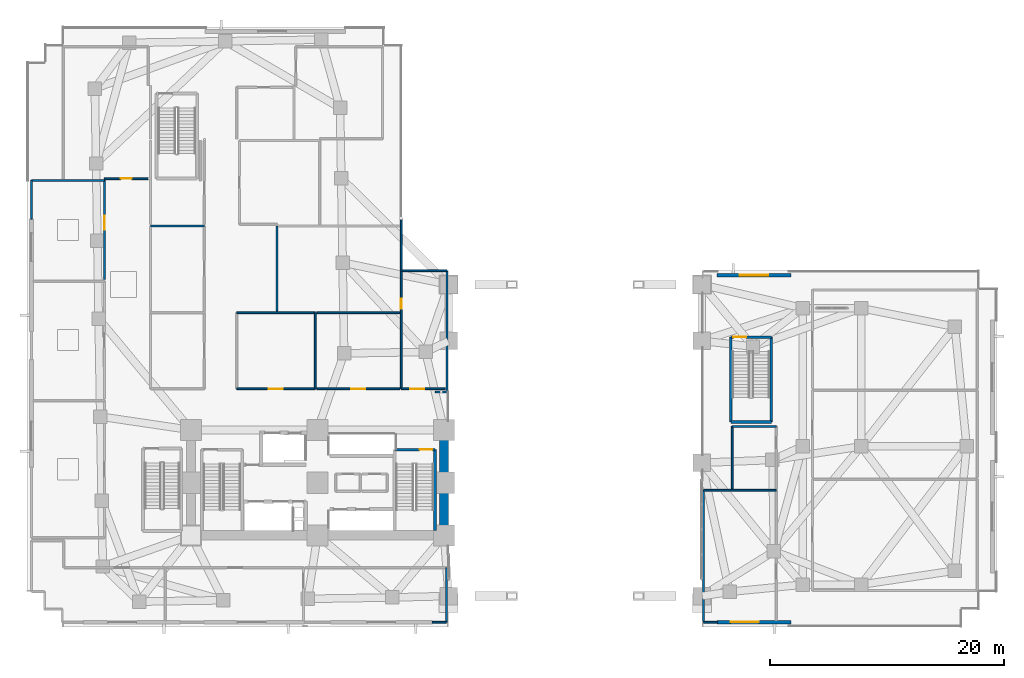
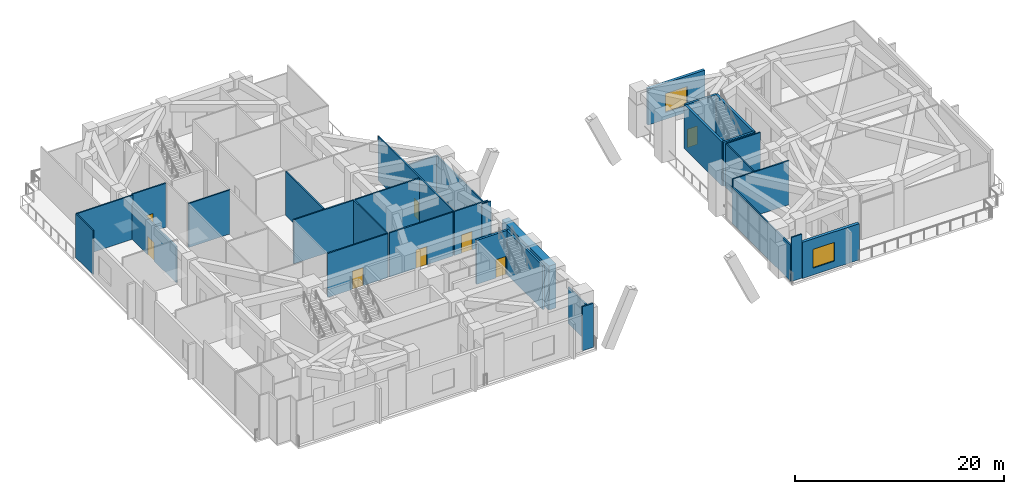
# One storey, part 9 of 18: 32 walls, 8 doors, 2 windows, 10 openings.
"""IFC4 building model written with IfcOpenShell, lengths in metres."""

from ifc_helpers import new_model, si_unit, direction, frame, frame_2d, origin, place, context, subcontext, project, spatial, rectangle, extrude, material, layer, layer_set, type_object, element, fill, save


model = new_model("IFC4")

# Units and contexts
model_context = context("Model", 3, precision=1e-05, world=origin(), true_north=direction((0.0, 1.0)))
body_context = subcontext(model_context, "Body", "Model", "MODEL_VIEW")
ifc_project = project(units=[si_unit("LENGTHUNIT", "METRE"), si_unit("AREAUNIT", "SQUARE_METRE"), si_unit("VOLUMEUNIT", "CUBIC_METRE"), si_unit("PLANEANGLEUNIT", "RADIAN"), si_unit("MASSUNIT", "GRAM", prefix="KILO")], contexts=[model_context])

# Site, building, storey
site_placement = place(None, origin())
site = spatial("IfcSite", under=ifc_project, at=site_placement, CompositionType="ELEMENT")
building_placement = place(site_placement, origin())
building = spatial("IfcBuilding", under=site, at=building_placement, Name="Gaonmaruhae Medical Tower", CompositionType="ELEMENT")
storey_placement = place(building_placement, frame((0.0, 0.0, 16.199951171875)))
storey = spatial("IfcBuildingStorey", under=building, at=storey_placement, Name="L03", CompositionType="ELEMENT", Elevation=16.199951171875)

# Wall
ifc_material_1 = material(Name="Concrete C60/75", Category="concrete")
ifc_layer_1 = layer(ifc_material_1, 0.800048828125)
ifc_layer_set_1 = layer_set([ifc_layer_1], Name="Concrete C60/75")
wall_type_1 = type_object("IfcWallType", Name="CW-800 Lower Core Shear Wall", PredefinedType="SHEAR", material=ifc_layer_set_1)
wall_1_placement = place(storey_placement, frame((35.60009765625, 7.800048828125, 0.0), z_axis=(0.0, 0.0, 1.0), x_axis=(0.0, 1.0, 0.0)))
element("IfcWall", 1, at=wall_1_placement, inside=storey, type_object=wall_type_1, Name="L03 Core Shear Wall CSW-E1", PredefinedType="SHEAR", context=body_context, shape_type="SweptSolid", body=[
    extrude(rectangle(XDim=9.0, YDim=0.800048828125, at=frame_2d((4.5, 0.0))), origin(), (0.0, 0.0, 1.0), 5.150146484375),
])

# Wall, opening, window
ifc_material_2 = material(Name="Precast concrete C45/55", Category="concrete")
ifc_layer_2 = layer(ifc_material_2, 0.320068359375)
ifc_layer_set_2 = layer_set([ifc_layer_2], Name="Precast concrete C45/55")
wall_type_2 = type_object("IfcWallType", Name="EW-320 Lower Precast Masonry-Frame Facade Wall", PredefinedType="SOLIDWALL", material=ifc_layer_set_2)
wall_2_placement = place(storey_placement, frame((65.199951171875, 0.39990234375, 0.0), z_axis=(0.0, 0.0, 1.0), x_axis=(-1.0, 0.0, 0.0)))
wall_2 = element("IfcWall", 2, at=wall_2_placement, inside=storey, type_object=wall_type_2, Name="L03 Precast Facade Wall PB-S4", PredefinedType="SOLIDWALL", context=body_context, shape_type="SweptSolid", body=[
    extrude(rectangle(XDim=6.300048828125, YDim=0.320068359375, at=frame_2d((3.14990234375, 0.0))), origin(), (0.0, 0.0, 1.0), 4.22998046875),
])
opening_1_placement = place(wall_2_placement, frame((2.739990234375, 0.0, 0.800048828125)))
opening_1 = element("IfcOpeningElement", 3, at=opening_1_placement, cuts=wall_2, Name="Opening WN-06", PredefinedType="OPENING", context=body_context, shape_type="SweptSolid", body=[
    extrude(rectangle(XDim=2.39990234375, YDim=2.199951171875, at=frame_2d((1.199951171875, 1.10009765625))), frame((0.0, 0.169921875, 0.0), z_axis=(0.0, -1.0, 0.0), x_axis=(1.0, 0.0, 0.0)), (0.0, 0.0, 1.0), 0.340087890625),
])
ifc_material_3 = material(Name="Anodised aluminium and Low-E double glazing", Category="aluminium")
window_type = type_object("IfcWindowType", Name="WN-06 Podium Diagnostic Punched Window 2400x2200", PartitioningType="SINGLE_PANEL", PredefinedType="WINDOW", material=ifc_material_3)
window_1_placement = place(opening_1_placement, origin())
window_1 = element("IfcWindow", 4, at=window_1_placement, inside=storey, type_object=window_type, Name="L03 Podium Punched Window PB-S4", OverallHeight=2.199951171875, OverallWidth=2.39990234375, PartitioningType="SINGLE_PANEL", PredefinedType="WINDOW", context=body_context, shape_type="SweptSolid", body=[
    extrude(rectangle(XDim=2.39990234375, YDim=2.199951171875, at=frame_2d((1.199951171875, 1.10009765625))), frame((0.0, 0.030029296875, 0.0), z_axis=(0.0, -1.0, 0.0), x_axis=(1.0, 0.0, 0.0)), (0.0, 0.0, 1.0), 0.06005859375),
])
fill(opening_1, window_1)

wall_3_placement = place(storey_placement, frame((58.89990234375, 30.0, 0.0), z_axis=(0.0, 0.0, 1.0), x_axis=(1.0, 0.0, 0.0)))
wall_3 = element("IfcWall", 5, at=wall_3_placement, inside=storey, type_object=wall_type_2, Name="L03 Precast Facade Wall PB-N1", PredefinedType="SOLIDWALL", context=body_context, shape_type="SweptSolid", body=[
    extrude(rectangle(XDim=6.300048828125, YDim=0.320068359375, at=frame_2d((3.14990234375, 0.0))), origin(), (0.0, 0.0, 1.0), 4.22998046875),
])
opening_2_placement = place(wall_3_placement, frame((1.949951171875, 0.0, 0.800048828125)))
opening_2 = element("IfcOpeningElement", 6, at=opening_2_placement, cuts=wall_3, Name="Opening WN-06", PredefinedType="OPENING", context=body_context, shape_type="SweptSolid", body=[
    extrude(rectangle(XDim=2.39990234375, YDim=2.199951171875, at=frame_2d((1.199951171875, 1.10009765625))), frame((0.0, 0.169921875, 0.0), z_axis=(0.0, -1.0, 0.0), x_axis=(1.0, 0.0, 0.0)), (0.0, 0.0, 1.0), 0.340087890625),
])
window_2_placement = place(opening_2_placement, origin())
window_2 = element("IfcWindow", 7, at=window_2_placement, inside=storey, type_object=window_type, Name="L03 Podium Punched Window PB-N1", OverallHeight=2.199951171875, OverallWidth=2.39990234375, PartitioningType="SINGLE_PANEL", PredefinedType="WINDOW", context=body_context, shape_type="SweptSolid", body=[
    extrude(rectangle(XDim=2.39990234375, YDim=2.199951171875, at=frame_2d((1.199951171875, 1.10009765625))), frame((0.0, 0.030029296875, 0.0), z_axis=(0.0, -1.0, 0.0), x_axis=(1.0, 0.0, 0.0)), (0.0, 0.0, 1.0), 0.06005859375),
])
fill(opening_2, window_2)

# Wall
ifc_material_4 = material(Name="Gypsum board partition", Category="gypsum")
ifc_layer_3 = layer(ifc_material_4, 0.14990234375)
ifc_layer_set_3 = layer_set([ifc_layer_3], Name="Gypsum board partition")
wall_type_3 = type_object("IfcWallType", Name="PW-150 Rated Clinical Corridor Partition", PredefinedType="PARTITIONING", material=ifc_layer_set_3)
wall_4_placement = place(storey_placement, frame((0.39990234375, 38.10009765625, 0.0), z_axis=(0.0, 0.0, 1.0), x_axis=(1.0, 0.0, 0.0)))
element("IfcWall", 8, at=wall_4_placement, inside=storey, type_object=wall_type_3, Name="L03 Interior Partition L03-WP3-15", PredefinedType="PARTITIONING", context=body_context, shape_type="SweptSolid", body=[
    extrude(rectangle(XDim=6.22021484375, YDim=0.14990234375, at=frame_2d((3.110107421875, 0.0))), origin(), (0.0, 0.0, 1.0), 5.150146484375),
])

# Wall, opening, door
wall_5_placement = place(storey_placement, frame((6.6201171875, 38.10009765625, 0.0), z_axis=(0.0, 0.0, 1.0), x_axis=(0.0, -1.0, 0.0)))
wall_5 = element("IfcWall", 9, at=wall_5_placement, inside=storey, type_object=wall_type_3, Name="L03 Interior Partition L03-WP3-16", PredefinedType="PARTITIONING", context=body_context, shape_type="SweptSolid", body=[
    extrude(rectangle(XDim=8.4501953125, YDim=0.14990234375, at=frame_2d((4.22509765625, 0.0))), origin(), (0.0, 0.0, 1.0), 4.235107421875),
])
opening_3_placement = place(wall_5_placement, frame((3.02294921875, 0.0, 0.0)))
opening_3 = element("IfcOpeningElement", 10, at=opening_3_placement, cuts=wall_5, Name="Opening CD-02", PredefinedType="OPENING", context=body_context, shape_type="SweptSolid", body=[
    extrude(rectangle(XDim=1.199951171875, YDim=2.14990234375, at=frame_2d((0.60009765625, 1.074951171875))), frame((0.0, 0.0849609375, 0.0), z_axis=(0.0, -1.0, 0.0), x_axis=(1.0, 0.0, 0.0)), (0.0, 0.0, 1.0), 0.169921875),
])
ifc_material_5 = material(Name="Antimicrobial laminate timber fire door", Category="wood")
door_type_1 = type_object("IfcDoorType", Name="CD-02 Clinical Treatment & Procedure Door 1200x2150", OperationType="NOTDEFINED", PredefinedType="DOOR", material=ifc_material_5)
door_1_placement = place(opening_3_placement, origin())
door_1 = element("IfcDoor", 11, at=door_1_placement, inside=storey, type_object=door_type_1, Name="L03 L03 Rehabilitation Physiotherapy Suite Door", OperationType="SINGLE_SWING_LEFT", OverallHeight=2.14990234375, OverallWidth=1.199951171875, PredefinedType="DOOR", context=body_context, shape_type="SweptSolid", body=[
    extrude(rectangle(XDim=1.199951171875, YDim=2.14990234375, at=frame_2d((0.60009765625, 1.074951171875))), frame((0.0, 0.02490234375, 0.0), z_axis=(0.0, -1.0, 0.0), x_axis=(1.0, 0.0, 0.0)), (0.0, 0.0, 1.0), 0.050048828125),
])
fill(opening_3, door_1)

# Walls
wall_6_placement = place(storey_placement, frame((0.39990234375, 34.800048828125, 0.0), z_axis=(0.0, 0.0, 1.0), x_axis=(0.0, 1.0, 0.0)))
element("IfcWall", 12, at=wall_6_placement, inside=storey, type_object=wall_type_3, Name="L03 Interior Partition L03-WP3-17", PredefinedType="PARTITIONING", context=body_context, shape_type="SweptSolid", body=[
    extrude(rectangle(XDim=3.300048828125, YDim=0.14990234375, at=frame_2d((1.64990234375, 0.0))), origin(), (0.0, 0.0, 1.0), 5.150146484375),
])
wall_7_placement = place(storey_placement, frame((35.85009765625, 30.39990234375, 0.0), z_axis=(0.0, 0.0, 1.0), x_axis=(0.0, -1.0, 0.0)))
element("IfcWall", 13, at=wall_7_placement, inside=storey, type_object=wall_type_3, Name="L03 Interior Partition L03-WP4-18", PredefinedType="PARTITIONING", context=body_context, shape_type="SweptSolid", body=[
    extrude(rectangle(XDim=10.349853515625, YDim=0.14990234375, at=frame_2d((5.1748046875, 0.0))), origin(), (0.0, 0.0, 1.0), 4.235107421875),
])
wall_8_placement = place(storey_placement, frame((35.85009765625, 20.050048828125, 0.0), z_axis=(0.0, 0.0, 1.0), x_axis=(-1.0, 0.0, 0.0)))
element("IfcWall", 14, at=wall_8_placement, inside=storey, type_object=wall_type_3, Name="L03 Interior Partition L03-WP4-19", PredefinedType="PARTITIONING", context=body_context, shape_type="SweptSolid", body=[
    extrude(rectangle(XDim=0.989990234375, YDim=0.14990234375, at=frame_2d((0.4951171875, 0.0))), origin(), (0.0, 0.0, 1.0), 5.150146484375),
])

# Wall, opening, door
wall_9_placement = place(storey_placement, frame((35.68994140625, 20.31005859375, 0.0), z_axis=(0.0, 0.0, 1.0), x_axis=(-1.0, 0.0, 0.0)))
wall_9 = element("IfcWall", 15, at=wall_9_placement, inside=storey, type_object=wall_type_3, Name="L03 Interior Partition L03-WP4-20", PredefinedType="PARTITIONING", context=body_context, shape_type="SweptSolid", body=[
    extrude(rectangle(XDim=3.739990234375, YDim=0.14990234375, at=frame_2d((1.8701171875, 0.0))), origin(), (0.0, 0.0, 1.0), 5.150146484375),
])
opening_4_placement = place(wall_9_placement, frame((1.7919921875, 0.0, 0.0)))
opening_4 = element("IfcOpeningElement", 16, at=opening_4_placement, cuts=wall_9, Name="Opening CD-02", PredefinedType="OPENING", context=body_context, shape_type="SweptSolid", body=[
    extrude(rectangle(XDim=1.199951171875, YDim=2.14990234375, at=frame_2d((0.60009765625, 1.074951171875))), frame((0.0, 0.0849609375, 0.0), z_axis=(0.0, -1.0, 0.0), x_axis=(1.0, 0.0, 0.0)), (0.0, 0.0, 1.0), 0.169921875),
])
door_2_placement = place(opening_4_placement, origin())
door_2 = element("IfcDoor", 17, at=door_2_placement, inside=storey, type_object=door_type_1, Name="L03 L03 Outpatient Ultrasound Room Door", OperationType="SINGLE_SWING_RIGHT", OverallHeight=2.14990234375, OverallWidth=1.199951171875, PredefinedType="DOOR", context=body_context, shape_type="SweptSolid", body=[
    extrude(rectangle(XDim=1.199951171875, YDim=2.14990234375, at=frame_2d((0.60009765625, 1.074951171875))), frame((0.0, 0.02490234375, 0.0), z_axis=(0.0, -1.0, 0.0), x_axis=(1.0, 0.0, 0.0)), (0.0, 0.0, 1.0), 0.050048828125),
])
fill(opening_4, door_2)

wall_10_placement = place(storey_placement, frame((31.949951171875, 20.31005859375, 0.0), z_axis=(0.0, 0.0, 1.0), x_axis=(0.0, 1.0, 0.0)))
wall_10 = element("IfcWall", 18, at=wall_10_placement, inside=storey, type_object=wall_type_3, Name="L03 Interior Partition L03-WP4-21", PredefinedType="PARTITIONING", context=body_context, shape_type="SweptSolid", body=[
    extrude(rectangle(XDim=14.489990234375, YDim=0.14990234375, at=frame_2d((7.2451171875, 0.0))), origin(), (0.0, 0.0, 1.0), 5.150146484375),
])
opening_5_placement = place(wall_10_placement, frame((6.81494140625, 0.0, 0.0)))
opening_5 = element("IfcOpeningElement", 19, at=opening_5_placement, cuts=wall_10, Name="Opening AD-01", PredefinedType="OPENING", context=body_context, shape_type="SweptSolid", body=[
    extrude(rectangle(XDim=0.860107421875, YDim=2.06005859375, at=frame_2d((0.43017578125, 1.030029296875))), frame((0.0, 0.0849609375, 0.0), z_axis=(0.0, -1.0, 0.0), x_axis=(1.0, 0.0, 0.0)), (0.0, 0.0, 1.0), 0.169921875),
])
ifc_material_6 = material(Name="Powder-coated steel access door", Category="steel")
door_type_2 = type_object("IfcDoorType", Name="AD-01 Riser & Closet Access Fire Door 860x2060", OperationType="NOTDEFINED", PredefinedType="DOOR", material=ifc_material_6)
door_3_placement = place(opening_5_placement, origin())
door_3 = element("IfcDoor", 20, at=door_3_placement, inside=storey, type_object=door_type_2, Name="L03 Sterile Instrument Preparation Room Sliding Door", OperationType="SLIDING_TO_LEFT", OverallHeight=2.06005859375, OverallWidth=0.860107421875, PredefinedType="DOOR", context=body_context, shape_type="SweptSolid", body=[
    extrude(rectangle(XDim=0.860107421875, YDim=2.06005859375, at=frame_2d((0.43017578125, 1.030029296875))), frame((0.0, 0.02490234375, 0.0), z_axis=(0.0, -1.0, 0.0), x_axis=(1.0, 0.0, 0.0)), (0.0, 0.0, 1.0), 0.050048828125),
])
fill(opening_5, door_3)

# Walls
wall_11_placement = place(storey_placement, frame((32.0, 30.39990234375, 0.0), z_axis=(0.0, 0.0, 1.0), x_axis=(1.0, 0.0, 0.0)))
element("IfcWall", 21, at=wall_11_placement, inside=storey, type_object=wall_type_3, Name="L03 Interior Partition L03-WP4-22", PredefinedType="PARTITIONING", context=body_context, shape_type="SweptSolid", body=[
    extrude(rectangle(XDim=3.85009765625, YDim=0.14990234375, at=frame_2d((1.925048828125, 0.0))), origin(), (0.0, 0.0, 1.0), 4.235107421875),
])
wall_12_placement = place(storey_placement, frame((57.75, 11.64990234375, 0.0), z_axis=(0.0, 0.0, 1.0), x_axis=(1.0, 0.0, 0.0)))
element("IfcWall", 22, at=wall_12_placement, inside=storey, type_object=wall_type_3, Name="L03 Interior Partition L03-EA4-33", PredefinedType="PARTITIONING", context=body_context, shape_type="SweptSolid", body=[
    extrude(rectangle(XDim=6.199951171875, YDim=0.14990234375, at=frame_2d((3.10009765625, 0.0))), origin(), (0.0, 0.0, 1.0), 5.150146484375),
])
wall_13_placement = place(storey_placement, frame((58.89990234375, 0.39990234375, 0.0), z_axis=(0.0, 0.0, 1.0), x_axis=(-1.0, 0.0, 0.0)))
element("IfcWall", 23, at=wall_13_placement, inside=storey, type_object=wall_type_3, Name="L03 Interior Partition L03-EA4-35", PredefinedType="PARTITIONING", context=body_context, shape_type="SweptSolid", body=[
    extrude(rectangle(XDim=1.14990234375, YDim=0.14990234375, at=frame_2d((0.574951171875, 0.0))), origin(), (0.0, 0.0, 1.0), 5.150146484375),
])
wall_14_placement = place(storey_placement, frame((57.75, 0.39990234375, 0.0), z_axis=(0.0, 0.0, 1.0), x_axis=(0.0, 1.0, 0.0)))
element("IfcWall", 24, at=wall_14_placement, inside=storey, type_object=wall_type_3, Name="L03 Interior Partition L03-EA4-36", PredefinedType="PARTITIONING", context=body_context, shape_type="SweptSolid", body=[
    extrude(rectangle(XDim=11.25, YDim=0.14990234375, at=frame_2d((5.625, 0.0))), origin(), (0.0, 0.0, 1.0), 4.235107421875),
])
wall_15_placement = place(storey_placement, frame((60.199951171875, 17.10009765625, 0.0), z_axis=(0.0, 0.0, 1.0), x_axis=(1.0, 0.0, 0.0)))
element("IfcWall", 25, at=wall_15_placement, inside=storey, type_object=wall_type_3, Name="L03 Interior Partition L03-EAW-37", PredefinedType="PARTITIONING", context=body_context, shape_type="SweptSolid", body=[
    extrude(rectangle(XDim=3.75, YDim=0.14990234375, at=frame_2d((1.875, 0.0))), origin(), (0.0, 0.0, 1.0), 5.150146484375),
])
wall_16_placement = place(storey_placement, frame((60.199951171875, 11.800048828125, 0.0), z_axis=(0.0, 0.0, 1.0), x_axis=(0.0, 1.0, 0.0)))
element("IfcWall", 26, at=wall_16_placement, inside=storey, type_object=wall_type_3, Name="L03 Interior Partition L03-EAW-39", PredefinedType="PARTITIONING", context=body_context, shape_type="SweptSolid", body=[
    extrude(rectangle(XDim=5.300048828125, YDim=0.14990234375, at=frame_2d((2.64990234375, 0.0))), origin(), (0.0, 0.0, 1.0), 5.150146484375),
])
wall_17_placement = place(storey_placement, frame((35.800048828125, 0.39990234375, 0.0), z_axis=(0.0, 0.0, 1.0), x_axis=(-1.0, 0.0, 0.0)))
element("IfcWall", 27, at=wall_17_placement, inside=storey, type_object=wall_type_3, Name="L03 Interior Partition L03-S3-53", PredefinedType="PARTITIONING", context=body_context, shape_type="SweptSolid", body=[
    extrude(rectangle(XDim=1.199951171875, YDim=0.14990234375, at=frame_2d((0.60009765625, 0.0))), origin(), (0.0, 0.0, 1.0), 5.150146484375),
])
wall_18_placement = place(storey_placement, frame((35.800048828125, 5.0400390625, 0.0), z_axis=(0.0, 0.0, 1.0), x_axis=(0.0, -1.0, 0.0)))
element("IfcWall", 28, at=wall_18_placement, inside=storey, type_object=wall_type_3, Name="L03 Interior Partition L03-S3-56", PredefinedType="PARTITIONING", context=body_context, shape_type="SweptSolid", body=[
    extrude(rectangle(XDim=4.64013671875, YDim=0.14990234375, at=frame_2d((2.320068359375, 0.0))), origin(), (0.0, 0.0, 1.0), 4.235107421875),
])
wall_19_placement = place(storey_placement, frame((17.909912109375, 26.800048828125, 0.0), z_axis=(0.0, 0.0, 1.0), x_axis=(1.0, 0.0, 0.0)))
element("IfcWall", 29, at=wall_19_placement, inside=storey, type_object=wall_type_3, Name="L03 Interior Partition L03-S5-61", PredefinedType="PARTITIONING", context=body_context, shape_type="SweptSolid", body=[
    extrude(rectangle(XDim=6.690185546875, YDim=0.14990234375, at=frame_2d((3.34521484375, 0.0))), origin(), (0.0, 0.0, 1.0), 5.150146484375),
])
wall_20_placement = place(storey_placement, frame((24.60009765625, 26.800048828125, 0.0), z_axis=(0.0, 0.0, 1.0), x_axis=(0.0, -1.0, 0.0)))
element("IfcWall", 30, at=wall_20_placement, inside=storey, type_object=wall_type_3, Name="L03 Interior Partition L03-S5-62", PredefinedType="PARTITIONING", context=body_context, shape_type="SweptSolid", body=[
    extrude(rectangle(XDim=6.489990234375, YDim=0.14990234375, at=frame_2d((3.2451171875, 0.0))), origin(), (0.0, 0.0, 1.0), 5.150146484375),
])

# Wall, opening, door
wall_21_placement = place(storey_placement, frame((24.60009765625, 20.31005859375, 0.0), z_axis=(0.0, 0.0, 1.0), x_axis=(-1.0, 0.0, 0.0)))
wall_21 = element("IfcWall", 31, at=wall_21_placement, inside=storey, type_object=wall_type_3, Name="L03 Interior Partition L03-S5-63", PredefinedType="PARTITIONING", context=body_context, shape_type="SweptSolid", body=[
    extrude(rectangle(XDim=6.690185546875, YDim=0.14990234375, at=frame_2d((3.34521484375, 0.0))), origin(), (0.0, 0.0, 1.0), 5.150146484375),
])
opening_6_placement = place(wall_21_placement, frame((2.7451171875, 0.0, 0.0)))
opening_6 = element("IfcOpeningElement", 32, at=opening_6_placement, cuts=wall_21, Name="Opening CD-02", PredefinedType="OPENING", context=body_context, shape_type="SweptSolid", body=[
    extrude(rectangle(XDim=1.199951171875, YDim=2.14990234375, at=frame_2d((0.60009765625, 1.074951171875))), frame((0.0, 0.0849609375, 0.0), z_axis=(0.0, -1.0, 0.0), x_axis=(1.0, 0.0, 0.0)), (0.0, 0.0, 1.0), 0.169921875),
])
door_4_placement = place(opening_6_placement, origin())
door_4 = element("IfcDoor", 33, at=door_4_placement, inside=storey, type_object=door_type_1, Name="L03 Cardiothoracic Intensive Care Ward Door", OperationType="SINGLE_SWING_RIGHT", OverallHeight=2.14990234375, OverallWidth=1.199951171875, PredefinedType="DOOR", context=body_context, shape_type="SweptSolid", body=[
    extrude(rectangle(XDim=1.199951171875, YDim=2.14990234375, at=frame_2d((0.60009765625, 1.074951171875))), frame((0.0, 0.02490234375, 0.0), z_axis=(0.0, -1.0, 0.0), x_axis=(1.0, 0.0, 0.0)), (0.0, 0.0, 1.0), 0.050048828125),
])
fill(opening_6, door_4)

# Wall
wall_22_placement = place(storey_placement, frame((24.75, 26.800048828125, 0.0), z_axis=(0.0, 0.0, 1.0), x_axis=(1.0, 0.0, 0.0)))
element("IfcWall", 34, at=wall_22_placement, inside=storey, type_object=wall_type_3, Name="L03 Interior Partition L03-S6-65", PredefinedType="PARTITIONING", context=body_context, shape_type="SweptSolid", body=[
    extrude(rectangle(XDim=7.050048828125, YDim=0.14990234375, at=frame_2d((3.52490234375, 0.0))), origin(), (0.0, 0.0, 1.0), 5.150146484375),
])

# Wall, opening, door
wall_23_placement = place(storey_placement, frame((31.800048828125, 20.31005859375, 0.0), z_axis=(0.0, 0.0, 1.0), x_axis=(-1.0, 0.0, 0.0)))
wall_23 = element("IfcWall", 35, at=wall_23_placement, inside=storey, type_object=wall_type_3, Name="L03 Interior Partition L03-S6-66", PredefinedType="PARTITIONING", context=body_context, shape_type="SweptSolid", body=[
    extrude(rectangle(XDim=7.050048828125, YDim=0.14990234375, at=frame_2d((3.52490234375, 0.0))), origin(), (0.0, 0.0, 1.0), 5.150146484375),
])
opening_7_placement = place(wall_23_placement, frame((2.925048828125, 0.0, 0.0)))
opening_7 = element("IfcOpeningElement", 36, at=opening_7_placement, cuts=wall_23, Name="Opening CD-02", PredefinedType="OPENING", context=body_context, shape_type="SweptSolid", body=[
    extrude(rectangle(XDim=1.199951171875, YDim=2.14990234375, at=frame_2d((0.60009765625, 1.074951171875))), frame((0.0, 0.0849609375, 0.0), z_axis=(0.0, -1.0, 0.0), x_axis=(1.0, 0.0, 0.0)), (0.0, 0.0, 1.0), 0.169921875),
])
door_5_placement = place(opening_7_placement, origin())
door_5 = element("IfcDoor", 37, at=door_5_placement, inside=storey, type_object=door_type_1, Name="L03 Neurosurgical Intensive Care Ward Door", OperationType="SINGLE_SWING_LEFT", OverallHeight=2.14990234375, OverallWidth=1.199951171875, PredefinedType="DOOR", context=body_context, shape_type="SweptSolid", body=[
    extrude(rectangle(XDim=1.199951171875, YDim=2.14990234375, at=frame_2d((0.60009765625, 1.074951171875))), frame((0.0, 0.02490234375, 0.0), z_axis=(0.0, -1.0, 0.0), x_axis=(1.0, 0.0, 0.0)), (0.0, 0.0, 1.0), 0.050048828125),
])
fill(opening_7, door_5)

# Walls
wall_24_placement = place(storey_placement, frame((10.550048828125, 34.199951171875, 0.0), z_axis=(0.0, 0.0, 1.0), x_axis=(1.0, 0.0, 0.0)))
element("IfcWall", 38, at=wall_24_placement, inside=storey, type_object=wall_type_3, Name="L03 Interior Partition L03-S7-68", PredefinedType="PARTITIONING", context=body_context, shape_type="SweptSolid", body=[
    extrude(rectangle(XDim=4.58984375, YDim=0.14990234375, at=frame_2d((2.294921875, 0.0))), origin(), (0.0, 0.0, 1.0), 5.150146484375),
])
wall_25_placement = place(storey_placement, frame((21.35009765625, 26.949951171875, 0.0), z_axis=(0.0, 0.0, 1.0), x_axis=(0.0, 1.0, 0.0)))
element("IfcWall", 39, at=wall_25_placement, inside=storey, type_object=wall_type_3, Name="L03 Interior Partition L03-S8-71", PredefinedType="PARTITIONING", context=body_context, shape_type="SweptSolid", body=[
    extrude(rectangle(XDim=7.25, YDim=0.14990234375, at=frame_2d((3.625, 0.0))), origin(), (0.0, 0.0, 1.0), 5.150146484375),
])

# Wall, opening, door
wall_26_placement = place(storey_placement, frame((10.35009765625, 38.25, 0.0), z_axis=(0.0, 0.0, 1.0), x_axis=(-1.0, 0.0, 0.0)))
wall_26 = element("IfcWall", 40, at=wall_26_placement, inside=storey, type_object=wall_type_3, Name="L03 Interior Partition L03-PNT-90", PredefinedType="PARTITIONING", context=body_context, shape_type="SweptSolid", body=[
    extrude(rectangle(XDim=3.72998046875, YDim=0.14990234375, at=frame_2d((1.864990234375, 0.0))), origin(), (0.0, 0.0, 1.0), 5.150146484375),
])
opening_8_placement = place(wall_26_placement, frame((1.405029296875, 0.0, 0.0)))
opening_8 = element("IfcOpeningElement", 41, at=opening_8_placement, cuts=wall_26, Name="Opening UD-01", PredefinedType="OPENING", context=body_context, shape_type="SweptSolid", body=[
    extrude(rectangle(XDim=0.919921875, YDim=2.10009765625, at=frame_2d((0.4599609375, 1.050048828125))), frame((0.0, 0.0849609375, 0.0), z_axis=(0.0, -1.0, 0.0), x_axis=(1.0, 0.0, 0.0)), (0.0, 0.0, 1.0), 0.169921875),
])
ifc_material_7 = material(Name="Powder-coated steel utility door", Category="steel")
door_type_3 = type_object("IfcDoorType", Name="UD-01 Toilet, Utility & Housekeeping Door 920x2100", OperationType="NOTDEFINED", PredefinedType="DOOR", material=ifc_material_7)
door_6_placement = place(opening_8_placement, origin())
door_6 = element("IfcDoor", 42, at=door_6_placement, inside=storey, type_object=door_type_3, Name="L03 L03 Surgical Team Pantry Door", OperationType="SINGLE_SWING_RIGHT", OverallHeight=2.10009765625, OverallWidth=0.919921875, PredefinedType="DOOR", context=body_context, shape_type="SweptSolid", body=[
    extrude(rectangle(XDim=0.919921875, YDim=2.10009765625, at=frame_2d((0.4599609375, 1.050048828125))), frame((0.0, 0.02490234375, 0.0), z_axis=(0.0, -1.0, 0.0), x_axis=(1.0, 0.0, 0.0)), (0.0, 0.0, 1.0), 0.050048828125),
])
fill(opening_8, door_6)

ifc_material_8 = material(Name="Concrete C50/60", Category="concrete")
ifc_layer_4 = layer(ifc_material_8, 0.239990234375)
ifc_layer_set_4 = layer_set([ifc_layer_4], Name="Concrete C50/60")
wall_type_4 = type_object("IfcWallType", Name="SW-240 Dogleg Stair Tight Shaft Wall", PredefinedType="SOLIDWALL", material=ifc_layer_set_4)
wall_27_placement = place(storey_placement, frame((31.3701171875, 15.1201171875, 0.0), z_axis=(0.0, 0.0, 1.0), x_axis=(1.0, 0.0, 0.0)))
wall_27 = element("IfcWall", 43, at=wall_27_placement, inside=storey, type_object=wall_type_4, Name="L03 ST-02 Stair Shaft Wall SHW-ST-02-N", PredefinedType="SOLIDWALL", context=body_context, shape_type="SweptSolid", body=[
    extrude(rectangle(XDim=3.4599609375, YDim=0.239990234375, at=frame_2d((1.72998046875, 0.0))), origin(), (0.0, 0.0, 1.0), 5.150146484375),
])
opening_9_placement = place(wall_27_placement, frame((2.139892578125, 0.0, 0.0)))
opening_9 = element("IfcOpeningElement", 44, at=opening_9_placement, cuts=wall_27, Name="Opening FD-01", PredefinedType="OPENING", context=body_context, shape_type="SweptSolid", body=[
    extrude(rectangle(XDim=1.10009765625, YDim=2.14990234375, at=frame_2d((0.550048828125, 1.074951171875))), frame((0.0, 0.1298828125, 0.0), z_axis=(0.0, -1.0, 0.0), x_axis=(1.0, 0.0, 0.0)), (0.0, 0.0, 1.0), 0.260009765625),
])
ifc_material_9 = material(Name="Powder-coated steel fire door", Category="steel")
door_type_4 = type_object("IfcDoorType", Name="FD-01 Escape Stair Protected Fire Door 1100x2150", OperationType="NOTDEFINED", PredefinedType="DOOR", material=ifc_material_9)
door_7_placement = place(opening_9_placement, origin())
door_7 = element("IfcDoor", 45, at=door_7_placement, inside=storey, type_object=door_type_4, Name="L03 ST-02 Protected Escape Stair Door", OperationType="SINGLE_SWING_LEFT", OverallHeight=2.14990234375, OverallWidth=1.10009765625, PredefinedType="DOOR", context=body_context, shape_type="SweptSolid", body=[
    extrude(rectangle(XDim=1.10009765625, YDim=2.14990234375, at=frame_2d((0.550048828125, 1.074951171875))), frame((0.0, 0.02490234375, 0.0), z_axis=(0.0, -1.0, 0.0), x_axis=(1.0, 0.0, 0.0)), (0.0, 0.0, 1.0), 0.050048828125),
])
fill(opening_9, door_7)

# Wall
wall_28_placement = place(storey_placement, frame((34.830078125, 15.1201171875, 0.0), z_axis=(0.0, 0.0, 1.0), x_axis=(0.0, -1.0, 0.0)))
element("IfcWall", 46, at=wall_28_placement, inside=storey, type_object=wall_type_4, Name="L03 ST-02 Stair Shaft Wall SHW-ST-02-E", PredefinedType="SOLIDWALL", context=body_context, shape_type="SweptSolid", body=[
    extrude(rectangle(XDim=6.920166015625, YDim=0.239990234375, at=frame_2d((3.4599609375, 0.0))), origin(), (0.0, 0.0, 1.0), 5.150146484375),
])

# Wall, opening, door
wall_29_placement = place(storey_placement, frame((60.070068359375, 24.719970703125, 0.0), z_axis=(0.0, 0.0, 1.0), x_axis=(1.0, 0.0, 0.0)))
wall_29 = element("IfcWall", 47, at=wall_29_placement, inside=storey, type_object=wall_type_4, Name="L03 ST-04 Stair Shaft Wall SHW-ST-04-N", PredefinedType="SOLIDWALL", context=body_context, shape_type="SweptSolid", body=[
    extrude(rectangle(XDim=3.4599609375, YDim=0.239990234375, at=frame_2d((1.72998046875, 0.0))), origin(), (0.0, 0.0, 1.0), 5.150146484375),
])
opening_10_placement = place(wall_29_placement, frame((0.219970703125, 0.0, 0.0)))
opening_10 = element("IfcOpeningElement", 48, at=opening_10_placement, cuts=wall_29, Name="Opening FD-01", PredefinedType="OPENING", context=body_context, shape_type="SweptSolid", body=[
    extrude(rectangle(XDim=1.10009765625, YDim=2.14990234375, at=frame_2d((0.550048828125, 1.074951171875))), frame((0.0, 0.1298828125, 0.0), z_axis=(0.0, -1.0, 0.0), x_axis=(1.0, 0.0, 0.0)), (0.0, 0.0, 1.0), 0.260009765625),
])
door_8_placement = place(opening_10_placement, origin())
door_8 = element("IfcDoor", 49, at=door_8_placement, inside=storey, type_object=door_type_4, Name="L03 ST-04 Protected Escape Stair Door", OperationType="SINGLE_SWING_LEFT", OverallHeight=2.14990234375, OverallWidth=1.10009765625, PredefinedType="DOOR", context=body_context, shape_type="SweptSolid", body=[
    extrude(rectangle(XDim=1.10009765625, YDim=2.14990234375, at=frame_2d((0.550048828125, 1.074951171875))), frame((0.0, 0.02490234375, 0.0), z_axis=(0.0, -1.0, 0.0), x_axis=(1.0, 0.0, 0.0)), (0.0, 0.0, 1.0), 0.050048828125),
])
fill(opening_10, door_8)

# Walls
wall_30_placement = place(storey_placement, frame((63.530029296875, 24.719970703125, 0.0), z_axis=(0.0, 0.0, 1.0), x_axis=(0.0, -1.0, 0.0)))
element("IfcWall", 50, at=wall_30_placement, inside=storey, type_object=wall_type_4, Name="L03 ST-04 Stair Shaft Wall SHW-ST-04-E", PredefinedType="SOLIDWALL", context=body_context, shape_type="SweptSolid", body=[
    extrude(rectangle(XDim=7.25, YDim=0.239990234375, at=frame_2d((3.625, 0.0))), origin(), (0.0, 0.0, 1.0), 5.150146484375),
])
wall_31_placement = place(storey_placement, frame((63.530029296875, 17.469970703125, 0.0), z_axis=(0.0, 0.0, 1.0), x_axis=(-1.0, 0.0, 0.0)))
element("IfcWall", 51, at=wall_31_placement, inside=storey, type_object=wall_type_4, Name="L03 ST-04 Stair Shaft Wall SHW-ST-04-S", PredefinedType="SOLIDWALL", context=body_context, shape_type="SweptSolid", body=[
    extrude(rectangle(XDim=3.4599609375, YDim=0.239990234375, at=frame_2d((1.72998046875, 0.0))), origin(), (0.0, 0.0, 1.0), 5.150146484375),
])
wall_32_placement = place(storey_placement, frame((60.070068359375, 17.469970703125, 0.0), z_axis=(0.0, 0.0, 1.0), x_axis=(0.0, 1.0, 0.0)))
element("IfcWall", 52, at=wall_32_placement, inside=storey, type_object=wall_type_4, Name="L03 ST-04 Stair Shaft Wall SHW-ST-04-W", PredefinedType="SOLIDWALL", context=body_context, shape_type="SweptSolid", body=[
    extrude(rectangle(XDim=7.25, YDim=0.239990234375, at=frame_2d((3.625, 0.0))), origin(), (0.0, 0.0, 1.0), 5.150146484375),
])

save(model, "model.ifc")
